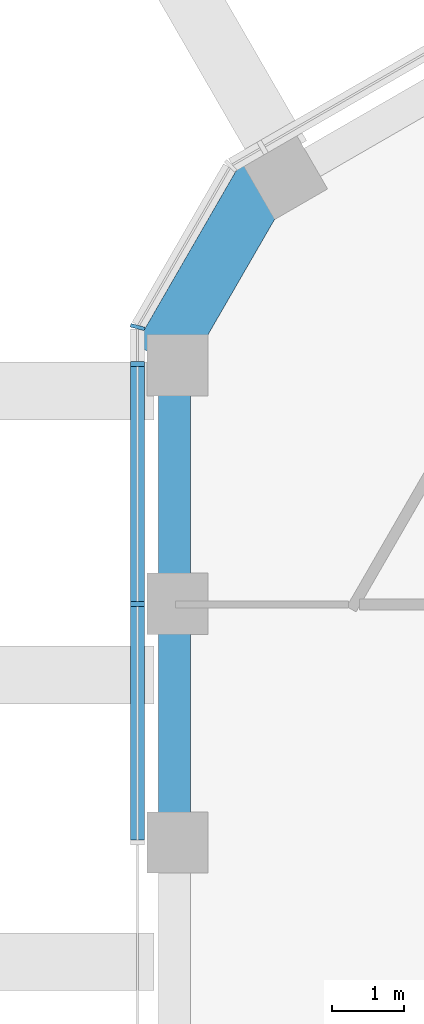
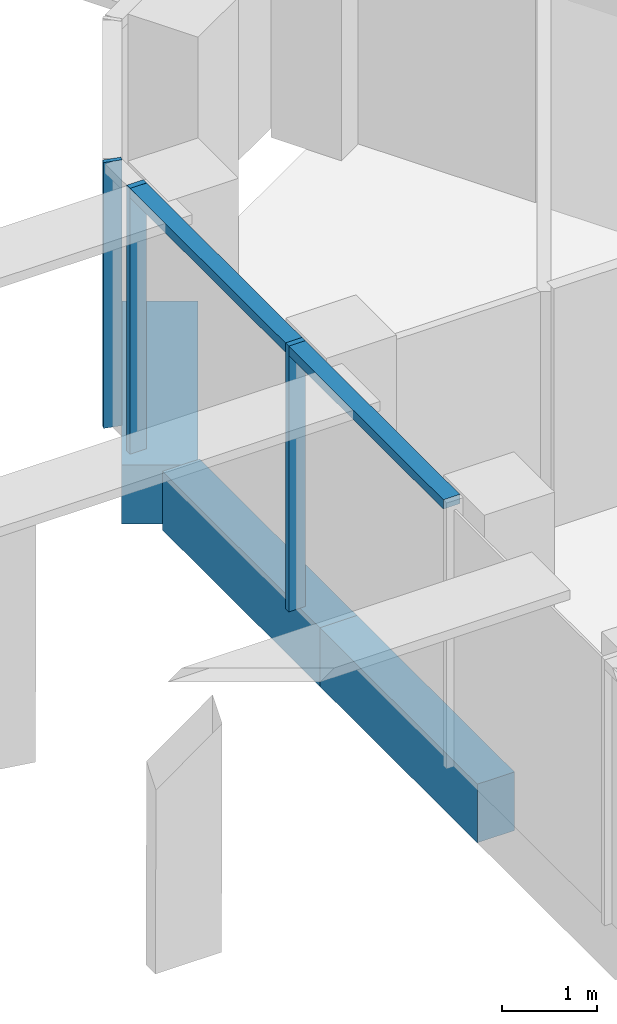
# One storey, part 3 of 18: 4 members, 3 beams, 2 elements without a shape of their own.
"""IFC4 building model written with IfcOpenShell, lengths in metres."""

from ifc_helpers import new_model, si_unit, direction, frame, origin, origin_2d, place, context, subcontext, project, spatial, rectangle, extrude, material, layer, layer_set, material_profile, profile_set, type_object, element, aggregate, save


model = new_model("IFC4")

# Units and contexts
model_context = context("Model", 3, precision=1e-05, world=origin(), true_north=direction((0.0, 1.0)))
body_context = subcontext(model_context, "Body", "Model", "MODEL_VIEW")
ifc_project = project(units=[si_unit("LENGTHUNIT", "METRE"), si_unit("AREAUNIT", "SQUARE_METRE"), si_unit("VOLUMEUNIT", "CUBIC_METRE"), si_unit("PLANEANGLEUNIT", "RADIAN"), si_unit("MASSUNIT", "GRAM", prefix="KILO")], contexts=[model_context])

# Site, building, storey
site_placement = place(None, origin())
site = spatial("IfcSite", under=ifc_project, at=site_placement, CompositionType="ELEMENT")
building_placement = place(site_placement, origin())
building = spatial("IfcBuilding", under=site, at=building_placement, Name="Ayvan Gate Tower", CompositionType="ELEMENT")
storey_placement = place(building_placement, frame((0.0, 0.0, 242.699951171875)))
storey = spatial("IfcBuildingStorey", under=building, at=storey_placement, Name="L65", CompositionType="ELEMENT", Elevation=242.699951171875)

# Beams
ifc_material_1 = material(Name="Concrete C40/50", Category="concrete")
ifc_material_profile_1 = material_profile(ifc_material_1, rectangle(XDim=0.800048828125, YDim=0.75, at=origin_2d()), Name="RC 800x750")
ifc_profile_set_1 = profile_set([ifc_material_profile_1], Name="Concrete C40/50")
beam_type_1 = type_object("IfcBeamType", Name="Corner spandrel beam RC 800x750 C40/50", PredefinedType="BEAM", material=ifc_profile_set_1)
beam_1_placement = place(storey_placement, frame((-15.17529296875, 10.95849609375, -0.724853515625), z_axis=(-0.50002537861, -0.866010750942, 0.0), x_axis=(0.866010750942, -0.50002537861, 0.0)))
element("IfcBeam", 1, at=beam_1_placement, inside=storey, type_object=beam_type_1, Name="SB-L65-18", PredefinedType="BEAM", context=body_context, shape_type="SweptSolid", body=[
    extrude(rectangle(XDim=0.800048828125, YDim=0.75, at=origin_2d()), origin(), (0.0, 0.0, 1.0), 2.999755859375),
])
ifc_material_profile_2 = material_profile(ifc_material_1, rectangle(XDim=0.449951171875, YDim=0.75, at=origin_2d()), Name="RC 450x750")
ifc_profile_set_2 = profile_set([ifc_material_profile_2], Name="Concrete C40/50")
beam_type_2 = type_object("IfcBeamType", Name="Spandrel beam RC 450x750 C40/50", PredefinedType="BEAM", material=ifc_profile_set_2)
beam_2_placement = place(storey_placement, frame((-16.484619140625, 8.25048828125, -0.724853515625), z_axis=(0.0, -1.0, 0.0), x_axis=(1.0, 0.0, 0.0)))
element("IfcBeam", 2, at=beam_2_placement, inside=storey, type_object=beam_type_2, Name="SB-L65-19", PredefinedType="BEAM", context=body_context, shape_type="SweptSolid", body=[
    extrude(rectangle(XDim=0.449951171875, YDim=0.75, at=origin_2d()), origin(), (0.0, 0.0, 1.0), 3.30029296875),
])
beam_3_placement = place(storey_placement, frame((-16.484619140625, 4.9501953125, -0.724853515625), z_axis=(0.0, -1.0, 0.0), x_axis=(1.0, 0.0, 0.0)))
element("IfcBeam", 3, at=beam_3_placement, inside=storey, type_object=beam_type_2, Name="SB-L65-20", PredefinedType="BEAM", context=body_context, shape_type="SweptSolid", body=[
    extrude(rectangle(XDim=0.449951171875, YDim=0.75, at=origin_2d()), origin(), (0.0, 0.0, 1.0), 3.300048828125),
])

# Curtain wall, members
ifc_material_2 = material(Name="Bronze anodised aluminium", Category="aluminium")
ifc_layer_1 = layer(ifc_material_2, 0.199951171875)
ifc_layer_set_1 = layer_set([ifc_layer_1], Name="Bronze anodised aluminium")
curtain_wall_type_1 = type_object("IfcCurtainWallType", Name="Stick curtain wall CW-2", PredefinedType="NOTDEFINED", material=ifc_layer_set_1)
curtain_wall_1_placement = place(storey_placement, origin())
curtain_wall_1 = element("IfcCurtainWall", 4, at=curtain_wall_1_placement, inside=storey, type_object=curtain_wall_type_1, Name="Stick curtain wall CW-2 L65", PredefinedType="NOTDEFINED")
ifc_material_profile_3 = material_profile(ifc_material_2, rectangle(XDim=0.199951171875, YDim=0.070068359375, at=origin_2d()), Name="Stick curtain wall CW-2 mullion 200 x 70")
ifc_profile_set_3 = profile_set([ifc_material_profile_3], Name="Bronze anodised aluminium")
member_type_1 = type_object("IfcMemberType", Name="Stick curtain wall CW-2 mullion 200 x 70", PredefinedType="MULLION", material=ifc_profile_set_3)
member_1_placement = place(storey_placement, frame((-16.9970703125, 8.2919921875, 0.0), z_axis=(0.0, 0.0, 1.0), x_axis=(-1.0, 0.0, 0.0)))
member_1 = element("IfcMember", 5, at=member_1_placement, type_object=member_type_1, Name="CW-2 mullion 1", PredefinedType="MULLION", context=body_context, shape_type="SweptSolid", body=[
    extrude(rectangle(XDim=0.199951171875, YDim=0.070068359375, at=origin_2d()), origin(), (0.0, 0.0, 1.0), 3.400146484375),
])
member_2_placement = place(storey_placement, frame((-16.9970703125, 4.96484375, 0.0), z_axis=(0.0, 0.0, 1.0), x_axis=(-1.0, 0.0, 0.0)))
member_2 = element("IfcMember", 6, at=member_2_placement, type_object=member_type_1, Name="CW-2 mullion 2", PredefinedType="MULLION", context=body_context, shape_type="SweptSolid", body=[
    extrude(rectangle(XDim=0.199951171875, YDim=0.070068359375, at=origin_2d()), origin(), (0.0, 0.0, 1.0), 3.400146484375),
])
ifc_material_profile_4 = material_profile(ifc_material_2, rectangle(XDim=0.199951171875, YDim=0.1201171875, at=origin_2d()), Name="Stick curtain wall CW-2 transom 200 x 120")
ifc_profile_set_4 = profile_set([ifc_material_profile_4], Name="Bronze anodised aluminium")
member_type_2 = type_object("IfcMemberType", Name="Stick curtain wall CW-2 transom 200 x 120", PredefinedType="USERDEFINED", material=ifc_profile_set_4)
member_3_placement = place(storey_placement, frame((-16.9970703125, 8.2919921875, 3.340087890625), z_axis=(0.0, -1.0, 0.0), x_axis=(1.0, 0.0, 0.0)))
member_3 = element("IfcMember", 7, at=member_3_placement, type_object=member_type_2, Name="CW-2 transom 1", ObjectType="TRANSOM", PredefinedType="USERDEFINED", context=body_context, shape_type="SweptSolid", body=[
    extrude(rectangle(XDim=0.199951171875, YDim=0.1201171875, at=origin_2d()), origin(), (0.0, 0.0, 1.0), 6.60205078125),
])
aggregate(curtain_wall_1, [member_1, member_2, member_3])

# Curtain wall, member
ifc_layer_2 = layer(ifc_material_2, 0.199951171875)
ifc_layer_set_2 = layer_set([ifc_layer_2], Name="Bronze anodised aluminium")
curtain_wall_type_2 = type_object("IfcCurtainWallType", Name="Stick curtain wall CW-6", PredefinedType="NOTDEFINED", material=ifc_layer_set_2)
curtain_wall_2_placement = place(storey_placement, origin())
curtain_wall_2 = element("IfcCurtainWall", 8, at=curtain_wall_2_placement, inside=storey, type_object=curtain_wall_type_2, Name="Stick curtain wall CW-6 L65", PredefinedType="NOTDEFINED")
ifc_material_profile_5 = material_profile(ifc_material_2, rectangle(XDim=0.199951171875, YDim=0.050048828125, at=origin_2d()), Name="Stick curtain wall CW-6 mullion 200 x 50")
ifc_profile_set_5 = profile_set([ifc_material_profile_5], Name="Bronze anodised aluminium")
member_type_3 = type_object("IfcMemberType", Name="Stick curtain wall CW-6 mullion 200 x 50", PredefinedType="MULLION", material=ifc_profile_set_5)
member_4_placement = place(storey_placement, frame((-16.9970703125, 8.802001953125, 0.0), z_axis=(0.0, 0.0, 1.0), x_axis=(-0.965925826289, 0.258819045103, 0.0)))
member_4 = element("IfcMember", 9, at=member_4_placement, type_object=member_type_3, Name="CW-6 mullion 3", PredefinedType="MULLION", context=body_context, shape_type="SweptSolid", body=[
    extrude(rectangle(XDim=0.199951171875, YDim=0.050048828125, at=origin_2d()), origin(), (0.0, 0.0, 1.0), 3.400146484375),
])
aggregate(curtain_wall_2, [member_4])

save(model, "model.ifc")
